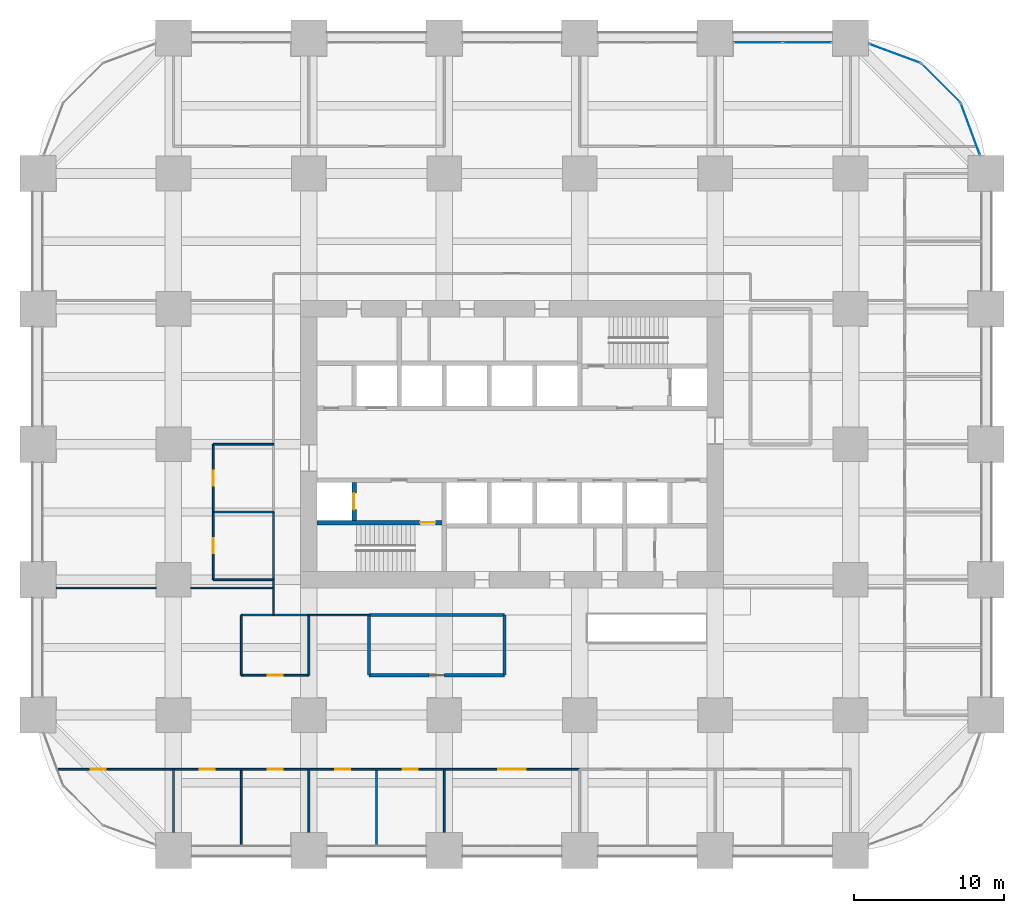
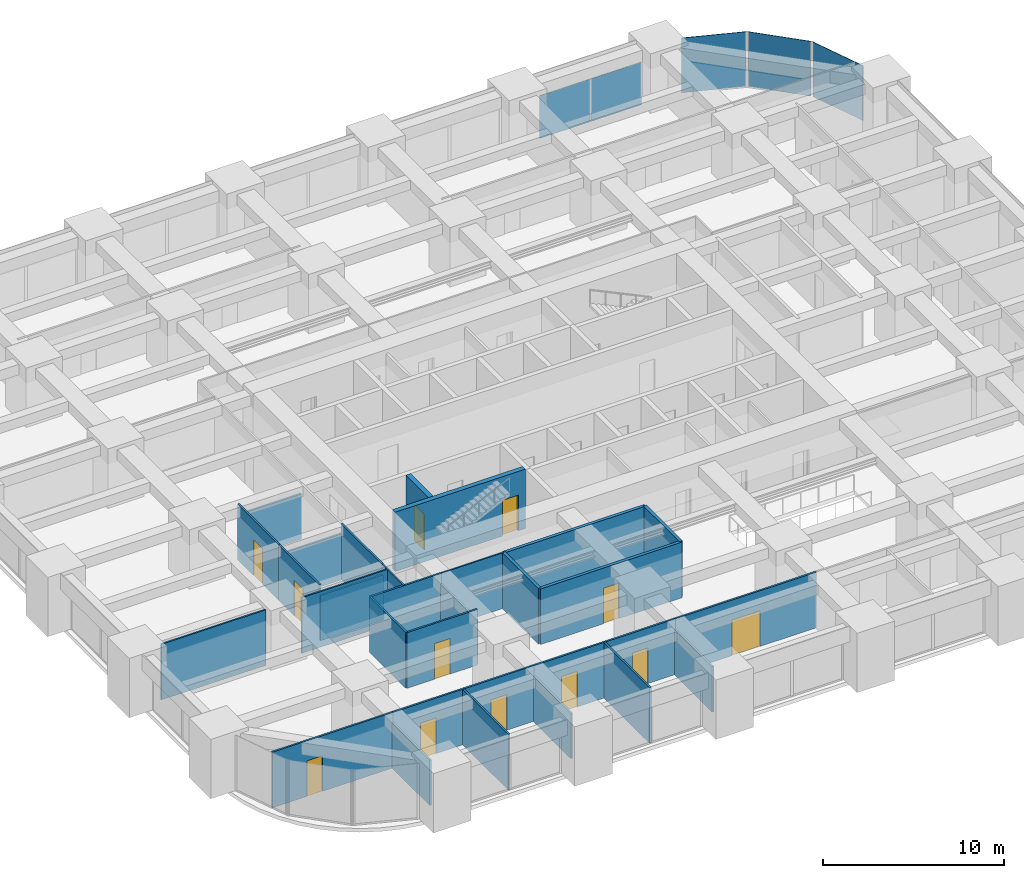
# One storey, part 39 of 45: 31 walls, 12 doors, 5 plates, 12 openings, 4 elements without a shape of their own.
"""IFC4 building model written with IfcOpenShell, lengths in metres."""

import ifcopenshell
import ifcopenshell.guid

model = None  # the IFC model being written
_history = None  # IfcOwnerHistory: only IFC2X3 demands one
_inside = {}  # id of a spatial element -> (the spatial element, [elements in it])
_under = {}  # id of a project, library or spatial element -> (it, [spatial elements below it])
_declared = {}  # id of a project -> (the project, [libraries it declares])
_typed = {}  # id of a type object -> (the type object, [elements of that type])
_made_of = {}  # id of a material, layer set ... -> (it, [elements and type objects made of it])


def new_model(schema):
    """Start an empty IFC model of exactly this schema.

    Asked for "IFC4X3", IfcOpenShell would pick the latest addendum, in which some entities
    have other attributes; the version numbers below select the first issue.
    IFC2X3 requires an IfcOwnerHistory on every rooted entity: one is made here for all.
    """
    global model, _history
    if schema == "IFC4X3":
        model = ifcopenshell.file(schema_version=(4, 3, 0, 0))
    else:
        model = ifcopenshell.file(schema=schema)
    _inside.clear()
    _under.clear()
    _declared.clear()
    _typed.clear()
    _made_of.clear()
    _history = None
    if model.schema == "IFC2X3":
        org = make("IfcOrganization", Name="unknown")
        user = make(
            "IfcPersonAndOrganization",
            ThePerson=make("IfcPerson", FamilyName="unknown"),
            TheOrganization=org,
        )
        app = make(
            "IfcApplication",
            ApplicationDeveloper=org,
            Version="unknown",
            ApplicationFullName="unknown",
            ApplicationIdentifier="unknown",
        )
        _history = make(
            "IfcOwnerHistory",
            OwningUser=user,
            OwningApplication=app,
            ChangeAction="ADDED",
            CreationDate=0,
        )
    return model


def make(cls, **values):
    """One entity of the class cls with the attributes given. An attribute that is None is left unset."""
    return model.create_entity(
        cls, **{name: value for name, value in values.items() if value is not None}
    )


def rooted(cls, **values):
    """An entity with a GlobalId (a new one), such as an element, a storey or a relation."""
    return make(cls, GlobalId=ifcopenshell.guid.new(), OwnerHistory=_history, **values)


def si_unit(unit_type, name, prefix=None):
    """IfcSIUnit, for example si_unit("LENGTHUNIT", "METRE", prefix="MILLI")."""
    return make("IfcSIUnit", UnitType=unit_type, Prefix=prefix, Name=name)


def assignment(units):
    """IfcUnitAssignment: the units of a project."""
    return None if units is None else make("IfcUnitAssignment", Units=units)


def point(xyz):
    """IfcCartesianPoint."""
    return None if xyz is None else make("IfcCartesianPoint", Coordinates=xyz)


def direction(xyz):
    """IfcDirection."""
    return None if xyz is None else make("IfcDirection", DirectionRatios=xyz)


def frame(location, z_axis=None, x_axis=None):
    """IfcAxis2Placement3D, a coordinate frame: its origin and axes. An axis left out is left unset."""
    return make(
        "IfcAxis2Placement3D",
        Location=point(location),
        Axis=direction(z_axis),
        RefDirection=direction(x_axis),
    )


def frame_2d(location, x_axis=None):
    """IfcAxis2Placement2D, a coordinate frame in the plane: its origin and x axis."""
    return make(
        "IfcAxis2Placement2D", Location=point(location), RefDirection=direction(x_axis)
    )


def origin():
    """The frame at (0, 0, 0) with its axes left unset."""
    return frame((0.0, 0.0, 0.0))


def origin_2d():
    """The frame at (0, 0) in the plane with its x axis left unset."""
    return frame_2d((0.0, 0.0))


def place(relative_to, where):
    """IfcLocalPlacement: puts the frame where relative to a parent placement (None: the world)."""
    return make(
        "IfcLocalPlacement", PlacementRelTo=relative_to, RelativePlacement=where
    )


def context(
    kind, dimensions, precision=None, world=None, true_north=None, identifier=None
):
    """IfcGeometricRepresentationContext, for example the 3D "Model" context."""
    return make(
        "IfcGeometricRepresentationContext",
        ContextIdentifier=identifier,
        ContextType=kind,
        CoordinateSpaceDimension=dimensions,
        Precision=precision,
        WorldCoordinateSystem=world,
        TrueNorth=true_north,
    )


def subcontext(parent, identifier, kind, view, scale=None):
    """IfcGeometricRepresentationSubContext, for example "Body" below "Model"."""
    return make(
        "IfcGeometricRepresentationSubContext",
        ContextIdentifier=identifier,
        ContextType=kind,
        ParentContext=parent,
        TargetScale=scale,
        TargetView=view,
    )


def project(units=None, contexts=None):
    """IfcProject with its units and contexts."""
    return rooted(
        "IfcProject",
        Name="project",
        RepresentationContexts=contexts,
        UnitsInContext=assignment(units),
    )


def spatial(cls, under=None, at=None, **own):
    """A site, building, storey or space (cls), placed at a placement, below another one or the project."""
    s = rooted(cls, ObjectPlacement=at, **own)
    if under is not None:
        _under.setdefault(under.id(), (under, []))[1].append(s)
    return s


def profile(cls, at=None, kind="AREA", **sizes):
    """A parametric profile (cls). Its sizes go by their IFC names, for example OverallWidth=200.0."""
    return make(cls, ProfileType=kind, Position=at, **sizes)


def rectangle(**sizes):
    """IfcRectangleProfileDef."""
    return profile("IfcRectangleProfileDef", **sizes)


def extrude(swept, where, along, depth):
    """IfcExtrudedAreaSolid: the profile swept, set in the frame where, extruded along a direction by depth."""
    return make(
        "IfcExtrudedAreaSolid",
        SweptArea=swept,
        Position=where,
        ExtrudedDirection=direction(along),
        Depth=depth,
    )


def shape(context_of_items, identifier, shape_type, items):
    """IfcShapeRepresentation: the items that make up one representation, for example the "Body"."""
    return make(
        "IfcShapeRepresentation",
        ContextOfItems=context_of_items,
        RepresentationIdentifier=identifier,
        RepresentationType=shape_type,
        Items=items,
    )


def material(Name=None, Category=None):
    """IfcMaterial."""
    return make("IfcMaterial", Name=Name, Category=Category)


def layer(
    of_material, thickness, ventilated=None, Name=None, Category=None, Priority=None
):
    """IfcMaterialLayer: one layer of a wall or slab, of a material (None: an air gap)."""
    return make(
        "IfcMaterialLayer",
        Material=of_material,
        LayerThickness=thickness,
        IsVentilated=ventilated,
        Name=Name,
        Category=Category,
        Priority=Priority,
    )


def layer_set(layers, Name=None):
    """IfcMaterialLayerSet."""
    return make("IfcMaterialLayerSet", MaterialLayers=layers, LayerSetName=Name)


def made_of(thing, what):
    """Note that an element or type object is made of a material, layer set ...; save() writes the relation."""
    if what is not None:
        _made_of.setdefault(what.id(), (what, []))[1].append(thing)
    return thing


def type_object(cls, material=None, **own):
    """A type object (cls), such as IfcWallType, which elements share."""
    return made_of(rooted(cls, **own), material)


def element(
    cls,
    number,
    at=None,
    inside=None,
    cuts=None,
    type_object=None,
    material=None,
    context=None,
    identifier="Body",
    shape_type=None,
    held_by="IfcProductDefinitionShape",
    body=None,
    shapes=None,
    **own,
):
    """One element of the class cls, such as IfcWall. Its Tag is "e" and its number.

    at: its placement. inside: the storey or other place that contains it. cuts: it is an
    opening in that element (IfcRelVoidsElement). A single representation is given by context,
    identifier, shape_type and body (its items); several are given by shapes. held_by: the class
    of the entity that holds the representations. save() writes the other relations.
    """
    e = rooted(cls, Tag="e%d" % number, ObjectPlacement=at, **own)
    if body is not None:
        shapes = [shape(context, identifier, shape_type, body)]
    if shapes is not None:
        e.Representation = make(held_by, Representations=shapes)
    if inside is not None:
        _inside.setdefault(inside.id(), (inside, []))[1].append(e)
    if cuts is not None:
        rooted(
            "IfcRelVoidsElement", RelatingBuildingElement=cuts, RelatedOpeningElement=e
        )
    if type_object is not None:
        _typed.setdefault(type_object.id(), (type_object, []))[1].append(e)
    return made_of(e, material)


def fill(opening, filler):
    """IfcRelFillsElement: the door or window that sits in an opening."""
    return rooted(
        "IfcRelFillsElement",
        RelatingOpeningElement=opening,
        RelatedBuildingElement=filler,
    )


def aggregate(whole, parts):
    """IfcRelAggregates: a whole, such as a stair, and the parts it consists of."""
    return rooted("IfcRelAggregates", RelatingObject=whole, RelatedObjects=parts)


def save(model, path):
    """Write the relations noted so far, then the file.

    IfcRelAggregates (storeys below a building ...), IfcRelContainedInSpatialStructure (elements
    in a storey), IfcRelDefinesByType, IfcRelAssociatesMaterial and IfcRelDeclares: one each for
    every whole, place, type object, material and project.
    """
    for whole, parts in _under.values():
        aggregate(whole, parts)
    for where, things in _inside.values():
        rooted(
            "IfcRelContainedInSpatialStructure",
            RelatedElements=things,
            RelatingStructure=where,
        )
    for kind, things in _typed.values():
        rooted("IfcRelDefinesByType", RelatedObjects=things, RelatingType=kind)
    for what, things in _made_of.values():
        rooted("IfcRelAssociatesMaterial", RelatedObjects=things, RelatingMaterial=what)
    for by, libraries in _declared.values():
        rooted("IfcRelDeclares", RelatingContext=by, RelatedDefinitions=libraries)
    model.write(path)


model = new_model("IFC4")

# Units and contexts
model_context = context("Model", 3, precision=1e-05, world=origin(), true_north=direction((0.0, 1.0)))
body_context = subcontext(model_context, "Body", "Model", "MODEL_VIEW")
ifc_project = project(units=[si_unit("LENGTHUNIT", "METRE"), si_unit("AREAUNIT", "SQUARE_METRE"), si_unit("VOLUMEUNIT", "CUBIC_METRE"), si_unit("PLANEANGLEUNIT", "RADIAN"), si_unit("MASSUNIT", "GRAM", prefix="KILO")], contexts=[model_context])

# Site, building, storey
site_placement = place(None, origin())
site = spatial("IfcSite", under=ifc_project, at=site_placement, CompositionType="ELEMENT")
building_placement = place(site_placement, origin())
building = spatial("IfcBuilding", under=site, at=building_placement, Name="Zorevar Civic Tower", CompositionType="ELEMENT")
storey_placement = place(building_placement, frame((0.0, 0.0, 27.800048828125)))
storey = spatial("IfcBuildingStorey", under=building, at=storey_placement, Name="L06", CompositionType="ELEMENT", Elevation=27.800048828125)

# Curtain wall, plates
ifc_material_1 = material(Name="Dark grey solar-control glass in black aluminium frame", Category="aluminium")
curtain_wall_type = type_object("IfcCurtainWallType", Name="Curtain wall CW2 low zone", PredefinedType="NOTDEFINED", material=ifc_material_1)
curtain_wall_1_placement = place(storey_placement, origin())
curtain_wall_1 = element("IfcCurtainWall", 1, at=curtain_wall_1_placement, inside=storey, type_object=curtain_wall_type, Name="CW2 L06", PredefinedType="NOTDEFINED")
ifc_material_2 = material(Name="Dark grey solar-control glass", Category="glass")
ifc_layer_1 = layer(ifc_material_2, 0.031982421875)
ifc_layer_set_1 = layer_set([ifc_layer_1], Name="CW2 panel 32")
plate_type = type_object("IfcPlateType", Name="CW2 panel 32", PredefinedType="CURTAIN_PANEL", material=ifc_layer_set_1)
plate_1_placement = place(storey_placement, frame((47.864990234375, 53.699951171875, 0.06005859375), z_axis=(0.0, 0.0, 1.0), x_axis=(1.0, 0.0, 0.0)))
plate_1 = element("IfcPlate", 2, at=plate_1_placement, type_object=plate_type, Name="CW2 panel 1.1", PredefinedType="CURTAIN_PANEL", context=body_context, shape_type="SweptSolid", body=[
    extrude(rectangle(XDim=3.2099609375, YDim=0.031982421875, at=origin_2d()), origin(), (0.0, 0.0, 1.0), 2.889892578125),
])
plate_2_placement = place(storey_placement, frame((51.135009765625, 53.699951171875, 0.06005859375), z_axis=(0.0, 0.0, 1.0), x_axis=(1.0, 0.0, 0.0)))
plate_2 = element("IfcPlate", 3, at=plate_2_placement, type_object=plate_type, Name="CW2 panel 2.1", PredefinedType="CURTAIN_PANEL", context=body_context, shape_type="SweptSolid", body=[
    extrude(rectangle(XDim=3.2099609375, YDim=0.031982421875, at=origin_2d()), origin(), (0.0, 0.0, 1.0), 2.889892578125),
])
aggregate(curtain_wall_1, [plate_1, plate_2])

# Curtain wall, plate
curtain_wall_2_placement = place(storey_placement, origin())
curtain_wall_2 = element("IfcCurtainWall", 4, at=curtain_wall_2_placement, inside=storey, type_object=curtain_wall_type, Name="CW2 L06", PredefinedType="NOTDEFINED")
plate_3_placement = place(storey_placement, frame((61.97119140625, 47.9462890625, 0.06005859375), z_axis=(0.0, 0.0, 1.0), x_axis=(-0.346704012033, 0.937974588163, 0.0)))
plate_3 = element("IfcPlate", 5, at=plate_3_placement, type_object=plate_type, Name="CW2 panel 1.1", PredefinedType="CURTAIN_PANEL", context=body_context, shape_type="SweptSolid", body=[
    extrude(rectangle(XDim=3.603759765625, YDim=0.031982421875, at=origin_2d()), origin(), (0.0, 0.0, 1.0), 3.68994140625),
])
aggregate(curtain_wall_2, [plate_3])

curtain_wall_3_placement = place(storey_placement, origin())
curtain_wall_3 = element("IfcCurtainWall", 6, at=curtain_wall_3_placement, inside=storey, type_object=curtain_wall_type, Name="CW2 L06", PredefinedType="NOTDEFINED")
plate_4_placement = place(storey_placement, frame((60.00927734375, 51.00927734375, 0.06005859375), z_axis=(0.0, 0.0, 1.0), x_axis=(-0.707106781187, 0.707106781187, 0.0)))
plate_4 = element("IfcPlate", 7, at=plate_4_placement, type_object=plate_type, Name="CW2 panel 1.1", PredefinedType="CURTAIN_PANEL", context=body_context, shape_type="SweptSolid", body=[
    extrude(rectangle(XDim=3.603759765625, YDim=0.031982421875, at=origin_2d()), origin(), (0.0, 0.0, 1.0), 3.68994140625),
])
aggregate(curtain_wall_3, [plate_4])

curtain_wall_4_placement = place(storey_placement, origin())
curtain_wall_4 = element("IfcCurtainWall", 8, at=curtain_wall_4_placement, inside=storey, type_object=curtain_wall_type, Name="CW2 L06", PredefinedType="NOTDEFINED")
plate_5_placement = place(storey_placement, frame((56.9462890625, 52.97119140625, 0.06005859375), z_axis=(0.0, 0.0, 1.0), x_axis=(-0.937974588163, 0.346704012033, 0.0)))
plate_5 = element("IfcPlate", 9, at=plate_5_placement, type_object=plate_type, Name="CW2 panel 1.1", PredefinedType="CURTAIN_PANEL", context=body_context, shape_type="SweptSolid", body=[
    extrude(rectangle(XDim=3.603759765625, YDim=0.031982421875, at=origin_2d()), origin(), (0.0, 0.0, 1.0), 3.68994140625),
])
aggregate(curtain_wall_4, [plate_5])

# Wall, opening, door
ifc_material_3 = material(Name="Concrete blockwork", Category="masonry")
ifc_layer_2 = layer(ifc_material_3, 0.199951171875)
ifc_layer_set_2 = layer_set([ifc_layer_2], Name="Blockwork wall 200")
wall_type_1 = type_object("IfcWallType", Name="Blockwork wall 200", PredefinedType="SOLIDWALL", material=ifc_layer_set_2)
wall_1_placement = place(storey_placement, frame((22.0, 11.64990234375, 0.0), z_axis=(0.0, 0.0, 1.0), x_axis=(1.0, 0.0, 0.0)))
wall_1 = element("IfcWall", 10, at=wall_1_placement, inside=storey, type_object=wall_type_1, Name="Blockwork wall 200 L06", PredefinedType="SOLIDWALL", context=body_context, shape_type="SweptSolid", body=[
    extrude(rectangle(XDim=9.0, YDim=0.199951171875, at=frame_2d((4.5, 0.0))), origin(), (0.0, 0.0, 1.0), 3.75),
])
opening_1_placement = place(wall_1_placement, frame((4.0, 0.0, 0.0)))
opening_1 = element("IfcOpeningElement", 11, at=opening_1_placement, cuts=wall_1, Name="Opening L06.27", PredefinedType="OPENING", context=body_context, shape_type="SweptSolid", body=[
    extrude(rectangle(XDim=1.0, YDim=2.39990234375, at=frame_2d((0.5, 1.199951171875))), frame((0.0, 0.10986328125, 0.0), z_axis=(0.0, -1.0, 0.0), x_axis=(1.0, 0.0, 0.0)), (0.0, 0.0, 1.0), 0.219970703125),
])
ifc_material_4 = material(Name="Steel door set", Category="steel")
door_type_1 = type_object("IfcDoorType", Name="Security door SD1 1000x2400", OperationType="SINGLE_SWING_LEFT", PredefinedType="DOOR", material=ifc_material_4)
door_1_placement = place(opening_1_placement, origin())
door_1 = element("IfcDoor", 12, at=door_1_placement, inside=storey, type_object=door_type_1, Name="Door L06 D1", OperationType="SINGLE_SWING_LEFT", OverallHeight=2.39990234375, OverallWidth=1.0, PredefinedType="DOOR", context=body_context, shape_type="SweptSolid", body=[
    extrude(rectangle(XDim=1.0, YDim=2.39990234375, at=frame_2d((0.5, 1.199951171875))), frame((0.0, 0.03515625, 0.0), z_axis=(0.0, -1.0, 0.0), x_axis=(1.0, 0.0, 0.0)), (0.0, 0.0, 1.0), 0.070068359375),
])
fill(opening_1, door_1)

# Walls
wall_2_placement = place(storey_placement, frame((22.0, 15.64990234375, 0.0), z_axis=(0.0, 0.0, 1.0), x_axis=(1.0, 0.0, 0.0)))
element("IfcWall", 13, at=wall_2_placement, inside=storey, type_object=wall_type_1, Name="Blockwork wall 200 L06", PredefinedType="SOLIDWALL", context=body_context, shape_type="SweptSolid", body=[
    extrude(rectangle(XDim=9.0, YDim=0.199951171875, at=frame_2d((4.5, 0.0))), origin(), (0.0, 0.0, 1.0), 3.75),
])
for number, where, z_axis, x_axis, name in (
    (14, (22.0, 11.64990234375, 0.0), (0.0, 0.0, 1.0), (0.0, 1.0, 0.0), "Blockwork wall 200 L06"),
    (15, (31.0, 11.64990234375, 0.0), (0.0, 0.0, 1.0), (0.0, 1.0, 0.0), "Blockwork wall 200 L06"),
):
    element("IfcWall", number, at=place(storey_placement, frame(where, z_axis=z_axis, x_axis=x_axis)), inside=storey, type_object=wall_type_1, Name=name, PredefinedType="SOLIDWALL", context=body_context, shape_type="SweptSolid", body=[
        extrude(rectangle(XDim=4.0, YDim=0.199951171875, at=frame_2d((2.0, 0.0))), origin(), (0.0, 0.0, 1.0), 3.75),
    ])
ifc_material_5 = material(Name="Laminated glass in black aluminium frame", Category="aluminium")
ifc_layer_3 = layer(ifc_material_5, 0.10009765625)
ifc_layer_set_3 = layer_set([ifc_layer_3], Name="Glazed partition 100")
wall_type_2 = type_object("IfcWallType", Name="Glazed partition 100", PredefinedType="PARTITIONING", material=ifc_layer_set_3)
wall_3_placement = place(storey_placement, frame((18.0, 15.64990234375, 0.0), z_axis=(0.0, 0.0, 1.0), x_axis=(1.0, 0.0, 0.0)))
element("IfcWall", 16, at=wall_3_placement, inside=storey, type_object=wall_type_2, Name="Glazed partition 100 L06", PredefinedType="PARTITIONING", context=body_context, shape_type="SweptSolid", body=[
    extrude(rectangle(XDim=4.0, YDim=0.10009765625, at=frame_2d((2.0, 0.0))), origin(), (0.0, 0.0, 1.0), 3.75),
])
wall_4_placement = place(storey_placement, frame((1.199951171875, 17.449951171875, 0.0), z_axis=(0.0, 0.0, 1.0), x_axis=(1.0, 0.0, 0.0)))
element("IfcWall", 17, at=wall_4_placement, inside=storey, type_object=wall_type_2, Name="Glazed partition 100 L06", PredefinedType="PARTITIONING", context=body_context, shape_type="SweptSolid", body=[
    extrude(rectangle(XDim=6.650146484375, YDim=0.10009765625, at=frame_2d((3.3251953125, 0.0))), origin(), (0.0, 0.0, 1.0), 3.75),
])
wall_5_placement = place(storey_placement, frame((10.14990234375, 17.449951171875, 0.0), z_axis=(0.0, 0.0, 1.0), x_axis=(1.0, 0.0, 0.0)))
element("IfcWall", 18, at=wall_5_placement, inside=storey, type_object=wall_type_2, Name="Glazed partition 100 L06", PredefinedType="PARTITIONING", context=body_context, shape_type="SweptSolid", body=[
    extrude(rectangle(XDim=5.5, YDim=0.10009765625, at=frame_2d((2.75, 0.0))), origin(), (0.0, 0.0, 1.0), 3.75),
])
wall_6_placement = place(storey_placement, frame((15.64990234375, 15.64990234375, 0.0), z_axis=(0.0, 0.0, 1.0), x_axis=(0.0, 1.0, 0.0)))
element("IfcWall", 19, at=wall_6_placement, inside=storey, type_object=wall_type_2, Name="Glazed partition 100 L06", PredefinedType="PARTITIONING", context=body_context, shape_type="SweptSolid", body=[
    extrude(rectangle(XDim=2.35009765625, YDim=0.10009765625, at=frame_2d((1.175048828125, 0.0))), origin(), (0.0, 0.0, 1.0), 3.75),
])

# Wall, opening, door
ifc_material_6 = material(Name="Concrete C40/50", Category="concrete")
ifc_layer_4 = layer(ifc_material_6, 0.300048828125)
ifc_layer_set_4 = layer_set([ifc_layer_4], Name="Inner core wall 300")
wall_type_3 = type_object("IfcWallType", Name="Inner core wall 300", PredefinedType="SHEAR", material=ifc_layer_set_4)
wall_7_placement = place(storey_placement, frame((18.550048828125, 21.800048828125, 0.0), z_axis=(0.0, 0.0, 1.0), x_axis=(1.0, 0.0, 0.0)))
wall_7 = element("IfcWall", 20, at=wall_7_placement, inside=storey, type_object=wall_type_3, Name="Inner core wall S00 L06", PredefinedType="SHEAR", context=body_context, shape_type="SweptSolid", body=[
    extrude(rectangle(XDim=8.300048828125, YDim=0.300048828125, at=frame_2d((4.14990234375, 0.0))), origin(), (0.0, 0.0, 1.0), 4.0),
])
opening_2_placement = place(wall_7_placement, frame((6.85009765625, 0.0, 0.0)))
opening_2 = element("IfcOpeningElement", 21, at=opening_2_placement, cuts=wall_7, Name="Opening L06.11", PredefinedType="OPENING", context=body_context, shape_type="SweptSolid", body=[
    extrude(rectangle(XDim=1.0, YDim=2.39990234375, at=frame_2d((0.5, 1.199951171875))), frame((0.0, 0.159912109375, 0.0), z_axis=(0.0, -1.0, 0.0), x_axis=(1.0, 0.0, 0.0)), (0.0, 0.0, 1.0), 0.320068359375),
])
ifc_material_7 = material(Name="Steel door set", Category="steel")
door_type_2 = type_object("IfcDoorType", Name="Fire door FD1 1000x2400", OperationType="SINGLE_SWING_LEFT", PredefinedType="DOOR", material=ifc_material_7)
door_2_placement = place(opening_2_placement, origin())
door_2 = element("IfcDoor", 22, at=door_2_placement, inside=storey, type_object=door_type_2, Name="Door L06 10", OperationType="SINGLE_SWING_RIGHT", OverallHeight=2.39990234375, OverallWidth=1.0, PredefinedType="DOOR", context=body_context, shape_type="SweptSolid", body=[
    extrude(rectangle(XDim=1.0, YDim=2.39990234375, at=frame_2d((0.5, 1.199951171875))), frame((0.0, 0.030029296875, 0.0), z_axis=(0.0, -1.0, 0.0), x_axis=(1.0, 0.0, 0.0)), (0.0, 0.0, 1.0), 0.06005859375),
])
fill(opening_2, door_2)

wall_8_placement = place(storey_placement, frame((21.0, 21.949951171875, 0.0), z_axis=(0.0, 0.0, 1.0), x_axis=(0.0, 1.0, 0.0)))
wall_8 = element("IfcWall", 23, at=wall_8_placement, inside=storey, type_object=wall_type_3, Name="Inner core wall S02 L06", PredefinedType="SHEAR", context=body_context, shape_type="SweptSolid", body=[
    extrude(rectangle(XDim=2.5, YDim=0.300048828125, at=frame_2d((1.25, 0.0))), origin(), (0.0, 0.0, 1.0), 4.0),
])
opening_3_placement = place(wall_8_placement, frame((0.699951171875, 0.0, 0.0)))
opening_3 = element("IfcOpeningElement", 24, at=opening_3_placement, cuts=wall_8, Name="Opening L06.FL1", PredefinedType="OPENING", context=body_context, shape_type="SweptSolid", body=[
    extrude(rectangle(XDim=1.10009765625, YDim=2.39990234375, at=frame_2d((0.550048828125, 1.199951171875))), frame((0.0, 0.159912109375, 0.0), z_axis=(0.0, -1.0, 0.0), x_axis=(1.0, 0.0, 0.0)), (0.0, 0.0, 1.0), 0.320068359375),
])
ifc_material_8 = material(Name="Steel door set", Category="steel")
door_type_3 = type_object("IfcDoorType", Name="Firefighting lift landing door LD3 1100x2400", OperationType="DOUBLE_DOOR_SLIDING", PredefinedType="DOOR", material=ifc_material_8)
door_3_placement = place(opening_3_placement, origin())
door_3 = element("IfcDoor", 25, at=door_3_placement, inside=storey, type_object=door_type_3, Name="Landing door FL1 L06", OperationType="DOUBLE_DOOR_SLIDING", OverallHeight=2.39990234375, OverallWidth=1.10009765625, PredefinedType="DOOR", context=body_context, shape_type="SweptSolid", body=[
    extrude(rectangle(XDim=1.10009765625, YDim=2.39990234375, at=frame_2d((0.550048828125, 1.199951171875))), frame((0.0, 0.030029296875, 0.0), z_axis=(0.0, -1.0, 0.0), x_axis=(1.0, 0.0, 0.0)), (0.0, 0.0, 1.0), 0.06005859375),
])
fill(opening_3, door_3)

ifc_material_9 = material(Name="Gypsum board on steel studs", Category="steel")
ifc_layer_5 = layer(ifc_material_9, 0.1201171875)
ifc_layer_set_5 = layer_set([ifc_layer_5], Name="Partition 120")
wall_type_4 = type_object("IfcWallType", Name="Partition 120", PredefinedType="PARTITIONING", material=ifc_layer_set_5)
wall_9_placement = place(storey_placement, frame((9.0, 5.39990234375, 0.0), z_axis=(0.0, 0.0, 1.0), x_axis=(1.0, 0.0, 0.0)))
wall_9 = element("IfcWall", 26, at=wall_9_placement, inside=storey, type_object=wall_type_4, Name="Partition 120 L06", PredefinedType="PARTITIONING", context=body_context, shape_type="SweptSolid", body=[
    extrude(rectangle(XDim=4.5, YDim=0.1201171875, at=frame_2d((2.25, 0.0))), origin(), (0.0, 0.0, 1.0), 3.75),
])
opening_4_placement = place(wall_9_placement, frame((1.75, 0.0, 0.0)))
opening_4 = element("IfcOpeningElement", 27, at=opening_4_placement, cuts=wall_9, Name="Opening L06.17", PredefinedType="OPENING", context=body_context, shape_type="SweptSolid", body=[
    extrude(rectangle(XDim=1.0, YDim=2.39990234375, at=frame_2d((0.5, 1.199951171875))), frame((0.0, 0.070068359375, 0.0), z_axis=(0.0, -1.0, 0.0), x_axis=(1.0, 0.0, 0.0)), (0.0, 0.0, 1.0), 0.14013671875),
])
ifc_material_10 = material(Name="Timber door set", Category="wood")
door_type_4 = type_object("IfcDoorType", Name="Door D1 1000x2400", OperationType="SINGLE_SWING_LEFT", PredefinedType="DOOR", material=ifc_material_10)
door_4_placement = place(opening_4_placement, origin())
door_4 = element("IfcDoor", 28, at=door_4_placement, inside=storey, type_object=door_type_4, Name="Door L06 D1", OperationType="SINGLE_SWING_RIGHT", OverallHeight=2.39990234375, OverallWidth=1.0, PredefinedType="DOOR", context=body_context, shape_type="SweptSolid", body=[
    extrude(rectangle(XDim=1.0, YDim=2.39990234375, at=frame_2d((0.5, 1.199951171875))), frame((0.0, 0.02490234375, 0.0), z_axis=(0.0, -1.0, 0.0), x_axis=(1.0, 0.0, 0.0)), (0.0, 0.0, 1.0), 0.050048828125),
])
fill(opening_4, door_4)

wall_10_placement = place(storey_placement, frame((13.5, 5.39990234375, 0.0), z_axis=(0.0, 0.0, 1.0), x_axis=(1.0, 0.0, 0.0)))
wall_10 = element("IfcWall", 29, at=wall_10_placement, inside=storey, type_object=wall_type_4, Name="Partition 120 L06", PredefinedType="PARTITIONING", context=body_context, shape_type="SweptSolid", body=[
    extrude(rectangle(XDim=4.5, YDim=0.1201171875, at=frame_2d((2.25, 0.0))), origin(), (0.0, 0.0, 1.0), 3.75),
])
opening_5_placement = place(wall_10_placement, frame((1.75, 0.0, 0.0)))
opening_5 = element("IfcOpeningElement", 30, at=opening_5_placement, cuts=wall_10, Name="Opening L06.18", PredefinedType="OPENING", context=body_context, shape_type="SweptSolid", body=[
    extrude(rectangle(XDim=1.0, YDim=2.39990234375, at=frame_2d((0.5, 1.199951171875))), frame((0.0, 0.070068359375, 0.0), z_axis=(0.0, -1.0, 0.0), x_axis=(1.0, 0.0, 0.0)), (0.0, 0.0, 1.0), 0.14013671875),
])
door_5_placement = place(opening_5_placement, origin())
door_5 = element("IfcDoor", 31, at=door_5_placement, inside=storey, type_object=door_type_4, Name="Door L06 D1", OperationType="SINGLE_SWING_RIGHT", OverallHeight=2.39990234375, OverallWidth=1.0, PredefinedType="DOOR", context=body_context, shape_type="SweptSolid", body=[
    extrude(rectangle(XDim=1.0, YDim=2.39990234375, at=frame_2d((0.5, 1.199951171875))), frame((0.0, 0.02490234375, 0.0), z_axis=(0.0, -1.0, 0.0), x_axis=(1.0, 0.0, 0.0)), (0.0, 0.0, 1.0), 0.050048828125),
])
fill(opening_5, door_5)

wall_11_placement = place(storey_placement, frame((18.0, 5.39990234375, 0.0), z_axis=(0.0, 0.0, 1.0), x_axis=(1.0, 0.0, 0.0)))
wall_11 = element("IfcWall", 32, at=wall_11_placement, inside=storey, type_object=wall_type_4, Name="Partition 120 L06", PredefinedType="PARTITIONING", context=body_context, shape_type="SweptSolid", body=[
    extrude(rectangle(XDim=4.5, YDim=0.1201171875, at=frame_2d((2.25, 0.0))), origin(), (0.0, 0.0, 1.0), 3.75),
])
opening_6_placement = place(wall_11_placement, frame((1.75, 0.0, 0.0)))
opening_6 = element("IfcOpeningElement", 33, at=opening_6_placement, cuts=wall_11, Name="Opening L06.19", PredefinedType="OPENING", context=body_context, shape_type="SweptSolid", body=[
    extrude(rectangle(XDim=1.0, YDim=2.39990234375, at=frame_2d((0.5, 1.199951171875))), frame((0.0, 0.070068359375, 0.0), z_axis=(0.0, -1.0, 0.0), x_axis=(1.0, 0.0, 0.0)), (0.0, 0.0, 1.0), 0.14013671875),
])
door_6_placement = place(opening_6_placement, origin())
door_6 = element("IfcDoor", 34, at=door_6_placement, inside=storey, type_object=door_type_4, Name="Door L06 D1", OperationType="SINGLE_SWING_RIGHT", OverallHeight=2.39990234375, OverallWidth=1.0, PredefinedType="DOOR", context=body_context, shape_type="SweptSolid", body=[
    extrude(rectangle(XDim=1.0, YDim=2.39990234375, at=frame_2d((0.5, 1.199951171875))), frame((0.0, 0.02490234375, 0.0), z_axis=(0.0, -1.0, 0.0), x_axis=(1.0, 0.0, 0.0)), (0.0, 0.0, 1.0), 0.050048828125),
])
fill(opening_6, door_6)

wall_12_placement = place(storey_placement, frame((22.5, 5.39990234375, 0.0), z_axis=(0.0, 0.0, 1.0), x_axis=(1.0, 0.0, 0.0)))
wall_12 = element("IfcWall", 35, at=wall_12_placement, inside=storey, type_object=wall_type_4, Name="Partition 120 L06", PredefinedType="PARTITIONING", context=body_context, shape_type="SweptSolid", body=[
    extrude(rectangle(XDim=4.5, YDim=0.1201171875, at=frame_2d((2.25, 0.0))), origin(), (0.0, 0.0, 1.0), 3.75),
])
opening_7_placement = place(wall_12_placement, frame((1.75, 0.0, 0.0)))
opening_7 = element("IfcOpeningElement", 36, at=opening_7_placement, cuts=wall_12, Name="Opening L06.20", PredefinedType="OPENING", context=body_context, shape_type="SweptSolid", body=[
    extrude(rectangle(XDim=1.0, YDim=2.39990234375, at=frame_2d((0.5, 1.199951171875))), frame((0.0, 0.070068359375, 0.0), z_axis=(0.0, -1.0, 0.0), x_axis=(1.0, 0.0, 0.0)), (0.0, 0.0, 1.0), 0.14013671875),
])
door_7_placement = place(opening_7_placement, origin())
door_7 = element("IfcDoor", 37, at=door_7_placement, inside=storey, type_object=door_type_4, Name="Door L06 D1", OperationType="SINGLE_SWING_RIGHT", OverallHeight=2.39990234375, OverallWidth=1.0, PredefinedType="DOOR", context=body_context, shape_type="SweptSolid", body=[
    extrude(rectangle(XDim=1.0, YDim=2.39990234375, at=frame_2d((0.5, 1.199951171875))), frame((0.0, 0.02490234375, 0.0), z_axis=(0.0, -1.0, 0.0), x_axis=(1.0, 0.0, 0.0)), (0.0, 0.0, 1.0), 0.050048828125),
])
fill(opening_7, door_7)

wall_13_placement = place(storey_placement, frame((27.0, 5.39990234375, 0.0), z_axis=(0.0, 0.0, 1.0), x_axis=(1.0, 0.0, 0.0)))
wall_13 = element("IfcWall", 38, at=wall_13_placement, inside=storey, type_object=wall_type_4, Name="Partition 120 L06", PredefinedType="PARTITIONING", context=body_context, shape_type="SweptSolid", body=[
    extrude(rectangle(XDim=9.0, YDim=0.1201171875, at=frame_2d((4.5, 0.0))), origin(), (0.0, 0.0, 1.0), 3.75),
])
opening_8_placement = place(wall_13_placement, frame((3.60009765625, 0.0, 0.0)))
opening_8 = element("IfcOpeningElement", 39, at=opening_8_placement, cuts=wall_13, Name="Opening L06.21", PredefinedType="OPENING", context=body_context, shape_type="SweptSolid", body=[
    extrude(rectangle(XDim=1.800048828125, YDim=2.39990234375, at=frame_2d((0.89990234375, 1.199951171875))), frame((0.0, 0.070068359375, 0.0), z_axis=(0.0, -1.0, 0.0), x_axis=(1.0, 0.0, 0.0)), (0.0, 0.0, 1.0), 0.14013671875),
])
ifc_material_11 = material(Name="Steel door set", Category="steel")
door_type_5 = type_object("IfcDoorType", Name="Door D2 1800x2400", OperationType="DOUBLE_DOOR_SINGLE_SWING", PredefinedType="DOOR", material=ifc_material_11)
door_8_placement = place(opening_8_placement, origin())
door_8 = element("IfcDoor", 40, at=door_8_placement, inside=storey, type_object=door_type_5, Name="Door L06 D1", OperationType="DOUBLE_DOOR_SINGLE_SWING", OverallHeight=2.39990234375, OverallWidth=1.800048828125, PredefinedType="DOOR", context=body_context, shape_type="SweptSolid", body=[
    extrude(rectangle(XDim=1.800048828125, YDim=2.39990234375, at=frame_2d((0.89990234375, 1.199951171875))), frame((0.0, 0.02490234375, 0.0), z_axis=(0.0, -1.0, 0.0), x_axis=(1.0, 0.0, 0.0)), (0.0, 0.0, 1.0), 0.050048828125),
])
fill(opening_8, door_8)

wall_14_placement = place(storey_placement, frame((1.3095703125, 5.39990234375, 0.0), z_axis=(0.0, 0.0, 1.0), x_axis=(1.0, 0.0, 0.0)))
wall_14 = element("IfcWall", 41, at=wall_14_placement, inside=storey, type_object=wall_type_4, Name="Partition 120 L06", PredefinedType="PARTITIONING", context=body_context, shape_type="SweptSolid", body=[
    extrude(rectangle(XDim=7.6904296875, YDim=0.1201171875, at=frame_2d((3.84521484375, 0.0))), origin(), (0.0, 0.0, 1.0), 3.75),
])
opening_9_placement = place(wall_14_placement, frame((2.1904296875, 0.0, 0.0)))
opening_9 = element("IfcOpeningElement", 42, at=opening_9_placement, cuts=wall_14, Name="Opening L06.26", PredefinedType="OPENING", context=body_context, shape_type="SweptSolid", body=[
    extrude(rectangle(XDim=1.0, YDim=2.39990234375, at=frame_2d((0.5, 1.199951171875))), frame((0.0, 0.070068359375, 0.0), z_axis=(0.0, -1.0, 0.0), x_axis=(1.0, 0.0, 0.0)), (0.0, 0.0, 1.0), 0.14013671875),
])
door_9_placement = place(opening_9_placement, origin())
door_9 = element("IfcDoor", 43, at=door_9_placement, inside=storey, type_object=door_type_4, Name="Door L06 D1", OperationType="SINGLE_SWING_RIGHT", OverallHeight=2.39990234375, OverallWidth=1.0, PredefinedType="DOOR", context=body_context, shape_type="SweptSolid", body=[
    extrude(rectangle(XDim=1.0, YDim=2.39990234375, at=frame_2d((0.5, 1.199951171875))), frame((0.0, 0.02490234375, 0.0), z_axis=(0.0, -1.0, 0.0), x_axis=(1.0, 0.0, 0.0)), (0.0, 0.0, 1.0), 0.050048828125),
])
fill(opening_9, door_9)

wall_15_placement = place(storey_placement, frame((13.5, 11.64990234375, 0.0), z_axis=(0.0, 0.0, 1.0), x_axis=(1.0, 0.0, 0.0)))
wall_15 = element("IfcWall", 44, at=wall_15_placement, inside=storey, type_object=wall_type_4, Name="Partition 120 L06", PredefinedType="PARTITIONING", context=body_context, shape_type="SweptSolid", body=[
    extrude(rectangle(XDim=4.5, YDim=0.1201171875, at=frame_2d((2.25, 0.0))), origin(), (0.0, 0.0, 1.0), 3.75),
])
opening_10_placement = place(wall_15_placement, frame((1.75, 0.0, 0.0)))
opening_10 = element("IfcOpeningElement", 45, at=opening_10_placement, cuts=wall_15, Name="Opening L06.28", PredefinedType="OPENING", context=body_context, shape_type="SweptSolid", body=[
    extrude(rectangle(XDim=1.0, YDim=2.39990234375, at=frame_2d((0.5, 1.199951171875))), frame((0.0, 0.070068359375, 0.0), z_axis=(0.0, -1.0, 0.0), x_axis=(1.0, 0.0, 0.0)), (0.0, 0.0, 1.0), 0.14013671875),
])
door_10_placement = place(opening_10_placement, origin())
door_10 = element("IfcDoor", 46, at=door_10_placement, inside=storey, type_object=door_type_4, Name="Door L06 D1", OperationType="SINGLE_SWING_LEFT", OverallHeight=2.39990234375, OverallWidth=1.0, PredefinedType="DOOR", context=body_context, shape_type="SweptSolid", body=[
    extrude(rectangle(XDim=1.0, YDim=2.39990234375, at=frame_2d((0.5, 1.199951171875))), frame((0.0, 0.02490234375, 0.0), z_axis=(0.0, -1.0, 0.0), x_axis=(1.0, 0.0, 0.0)), (0.0, 0.0, 1.0), 0.050048828125),
])
fill(opening_10, door_10)

# Walls
wall_16_placement = place(storey_placement, frame((13.5, 15.64990234375, 0.0), z_axis=(0.0, 0.0, 1.0), x_axis=(1.0, 0.0, 0.0)))
element("IfcWall", 47, at=wall_16_placement, inside=storey, type_object=wall_type_4, Name="Partition 120 L06", PredefinedType="PARTITIONING", context=body_context, shape_type="SweptSolid", body=[
    extrude(rectangle(XDim=4.5, YDim=0.1201171875, at=frame_2d((2.25, 0.0))), origin(), (0.0, 0.0, 1.0), 3.75),
])
wall_17_placement = place(storey_placement, frame((11.64990234375, 18.0, 0.0), z_axis=(0.0, 0.0, 1.0), x_axis=(1.0, 0.0, 0.0)))
element("IfcWall", 48, at=wall_17_placement, inside=storey, type_object=wall_type_4, Name="Partition 120 L06", PredefinedType="PARTITIONING", context=body_context, shape_type="SweptSolid", body=[
    extrude(rectangle(XDim=4.0, YDim=0.1201171875, at=frame_2d((2.0, 0.0))), origin(), (0.0, 0.0, 1.0), 3.050048828125),
])
wall_18_placement = place(storey_placement, frame((11.64990234375, 22.5, 0.0), z_axis=(0.0, 0.0, 1.0), x_axis=(1.0, 0.0, 0.0)))
element("IfcWall", 49, at=wall_18_placement, inside=storey, type_object=wall_type_4, Name="Partition 120 L06", PredefinedType="PARTITIONING", context=body_context, shape_type="SweptSolid", body=[
    extrude(rectangle(XDim=4.0, YDim=0.1201171875, at=frame_2d((2.0, 0.0))), origin(), (0.0, 0.0, 1.0), 3.099853515625),
])
wall_19_placement = place(storey_placement, frame((11.64990234375, 27.0, 0.0), z_axis=(0.0, 0.0, 1.0), x_axis=(1.0, 0.0, 0.0)))
element("IfcWall", 50, at=wall_19_placement, inside=storey, type_object=wall_type_4, Name="Partition 120 L06", PredefinedType="PARTITIONING", context=body_context, shape_type="SweptSolid", body=[
    extrude(rectangle(XDim=4.0, YDim=0.1201171875, at=frame_2d((2.0, 0.0))), origin(), (0.0, 0.0, 1.0), 3.050048828125),
])
wall_20_placement = place(storey_placement, frame((9.0, 1.199951171875, 0.0), z_axis=(0.0, 0.0, 1.0), x_axis=(0.0, 1.0, 0.0)))
element("IfcWall", 51, at=wall_20_placement, inside=storey, type_object=wall_type_4, Name="Partition 120 L06", PredefinedType="PARTITIONING", context=body_context, shape_type="SweptSolid", body=[
    extrude(rectangle(XDim=4.199951171875, YDim=0.1201171875, at=frame_2d((2.10009765625, 0.0))), origin(), (0.0, 0.0, 1.0), 3.050048828125),
])

# Wall, opening, door
wall_21_placement = place(storey_placement, frame((11.64990234375, 22.5, 0.0), z_axis=(0.0, 0.0, 1.0), x_axis=(0.0, 1.0, 0.0)))
wall_21 = element("IfcWall", 52, at=wall_21_placement, inside=storey, type_object=wall_type_4, Name="Partition 120 L06", PredefinedType="PARTITIONING", context=body_context, shape_type="SweptSolid", body=[
    extrude(rectangle(XDim=4.5, YDim=0.1201171875, at=frame_2d((2.25, 0.0))), origin(), (0.0, 0.0, 1.0), 3.75),
])
opening_11_placement = place(wall_21_placement, frame((1.75, 0.0, 0.0)))
opening_11 = element("IfcOpeningElement", 53, at=opening_11_placement, cuts=wall_21, Name="Opening L06.35", PredefinedType="OPENING", context=body_context, shape_type="SweptSolid", body=[
    extrude(rectangle(XDim=1.0, YDim=2.39990234375, at=frame_2d((0.5, 1.199951171875))), frame((0.0, 0.070068359375, 0.0), z_axis=(0.0, -1.0, 0.0), x_axis=(1.0, 0.0, 0.0)), (0.0, 0.0, 1.0), 0.14013671875),
])
door_11_placement = place(opening_11_placement, origin())
door_11 = element("IfcDoor", 54, at=door_11_placement, inside=storey, type_object=door_type_4, Name="Door L06 D1", OperationType="SINGLE_SWING_RIGHT", OverallHeight=2.39990234375, OverallWidth=1.0, PredefinedType="DOOR", context=body_context, shape_type="SweptSolid", body=[
    extrude(rectangle(XDim=1.0, YDim=2.39990234375, at=frame_2d((0.5, 1.199951171875))), frame((0.0, 0.02490234375, 0.0), z_axis=(0.0, -1.0, 0.0), x_axis=(1.0, 0.0, 0.0)), (0.0, 0.0, 1.0), 0.050048828125),
])
fill(opening_11, door_11)

wall_22_placement = place(storey_placement, frame((11.64990234375, 18.0, 0.0), z_axis=(0.0, 0.0, 1.0), x_axis=(0.0, 1.0, 0.0)))
wall_22 = element("IfcWall", 55, at=wall_22_placement, inside=storey, type_object=wall_type_4, Name="Partition 120 L06", PredefinedType="PARTITIONING", context=body_context, shape_type="SweptSolid", body=[
    extrude(rectangle(XDim=4.5, YDim=0.1201171875, at=frame_2d((2.25, 0.0))), origin(), (0.0, 0.0, 1.0), 3.75),
])
opening_12_placement = place(wall_22_placement, frame((1.75, 0.0, 0.0)))
opening_12 = element("IfcOpeningElement", 56, at=opening_12_placement, cuts=wall_22, Name="Opening L06.36", PredefinedType="OPENING", context=body_context, shape_type="SweptSolid", body=[
    extrude(rectangle(XDim=1.0, YDim=2.39990234375, at=frame_2d((0.5, 1.199951171875))), frame((0.0, 0.070068359375, 0.0), z_axis=(0.0, -1.0, 0.0), x_axis=(1.0, 0.0, 0.0)), (0.0, 0.0, 1.0), 0.14013671875),
])
door_12_placement = place(opening_12_placement, origin())
door_12 = element("IfcDoor", 57, at=door_12_placement, inside=storey, type_object=door_type_4, Name="Door L06 D1", OperationType="SINGLE_SWING_RIGHT", OverallHeight=2.39990234375, OverallWidth=1.0, PredefinedType="DOOR", context=body_context, shape_type="SweptSolid", body=[
    extrude(rectangle(XDim=1.0, YDim=2.39990234375, at=frame_2d((0.5, 1.199951171875))), frame((0.0, 0.02490234375, 0.0), z_axis=(0.0, -1.0, 0.0), x_axis=(1.0, 0.0, 0.0)), (0.0, 0.0, 1.0), 0.050048828125),
])
fill(opening_12, door_12)

# Walls
wall_23_placement = place(storey_placement, frame((13.5, 0.31005859375, 0.0), z_axis=(0.0, 0.0, 1.0), x_axis=(0.0, 1.0, 0.0)))
element("IfcWall", 58, at=wall_23_placement, inside=storey, type_object=wall_type_4, Name="Partition 120 L06", PredefinedType="PARTITIONING", context=body_context, shape_type="SweptSolid", body=[
    extrude(rectangle(XDim=5.08984375, YDim=0.1201171875, at=frame_2d((2.544921875, 0.0))), origin(), (0.0, 0.0, 1.0), 3.75),
])
wall_24_placement = place(storey_placement, frame((13.5, 11.64990234375, 0.0), z_axis=(0.0, 0.0, 1.0), x_axis=(0.0, 1.0, 0.0)))
element("IfcWall", 59, at=wall_24_placement, inside=storey, type_object=wall_type_4, Name="Partition 120 L06", PredefinedType="PARTITIONING", context=body_context, shape_type="SweptSolid", body=[
    extrude(rectangle(XDim=4.0, YDim=0.1201171875, at=frame_2d((2.0, 0.0))), origin(), (0.0, 0.0, 1.0), 3.75),
])
wall_25_placement = place(storey_placement, frame((15.64990234375, 18.0, 0.0), z_axis=(0.0, 0.0, 1.0), x_axis=(0.0, 1.0, 0.0)))
element("IfcWall", 60, at=wall_25_placement, inside=storey, type_object=wall_type_4, Name="Partition 120 L06", PredefinedType="PARTITIONING", context=body_context, shape_type="SweptSolid", body=[
    extrude(rectangle(XDim=4.5, YDim=0.1201171875, at=frame_2d((2.25, 0.0))), origin(), (0.0, 0.0, 1.0), 3.75),
])
wall_26_placement = place(storey_placement, frame((18.0, 1.199951171875, 0.0), z_axis=(0.0, 0.0, 1.0), x_axis=(0.0, 1.0, 0.0)))
element("IfcWall", 61, at=wall_26_placement, inside=storey, type_object=wall_type_4, Name="Partition 120 L06", PredefinedType="PARTITIONING", context=body_context, shape_type="SweptSolid", body=[
    extrude(rectangle(XDim=4.199951171875, YDim=0.1201171875, at=frame_2d((2.10009765625, 0.0))), origin(), (0.0, 0.0, 1.0), 3.050048828125),
])
wall_27_placement = place(storey_placement, frame((18.0, 11.64990234375, 0.0), z_axis=(0.0, 0.0, 1.0), x_axis=(0.0, 1.0, 0.0)))
element("IfcWall", 62, at=wall_27_placement, inside=storey, type_object=wall_type_4, Name="Partition 120 L06", PredefinedType="PARTITIONING", context=body_context, shape_type="SweptSolid", body=[
    extrude(rectangle(XDim=4.0, YDim=0.1201171875, at=frame_2d((2.0, 0.0))), origin(), (0.0, 0.0, 1.0), 3.050048828125),
])
wall_28_placement = place(storey_placement, frame((22.5, 0.31005859375, 0.0), z_axis=(0.0, 0.0, 1.0), x_axis=(0.0, 1.0, 0.0)))
element("IfcWall", 63, at=wall_28_placement, inside=storey, type_object=wall_type_4, Name="Partition 120 L06", PredefinedType="PARTITIONING", context=body_context, shape_type="SweptSolid", body=[
    extrude(rectangle(XDim=5.08984375, YDim=0.1201171875, at=frame_2d((2.544921875, 0.0))), origin(), (0.0, 0.0, 1.0), 3.75),
])
wall_29_placement = place(storey_placement, frame((27.0, 1.199951171875, 0.0), z_axis=(0.0, 0.0, 1.0), x_axis=(0.0, 1.0, 0.0)))
element("IfcWall", 64, at=wall_29_placement, inside=storey, type_object=wall_type_4, Name="Partition 120 L06", PredefinedType="PARTITIONING", context=body_context, shape_type="SweptSolid", body=[
    extrude(rectangle(XDim=4.199951171875, YDim=0.1201171875, at=frame_2d((2.10009765625, 0.0))), origin(), (0.0, 0.0, 1.0), 3.050048828125),
])

save(model, "model.ifc")
